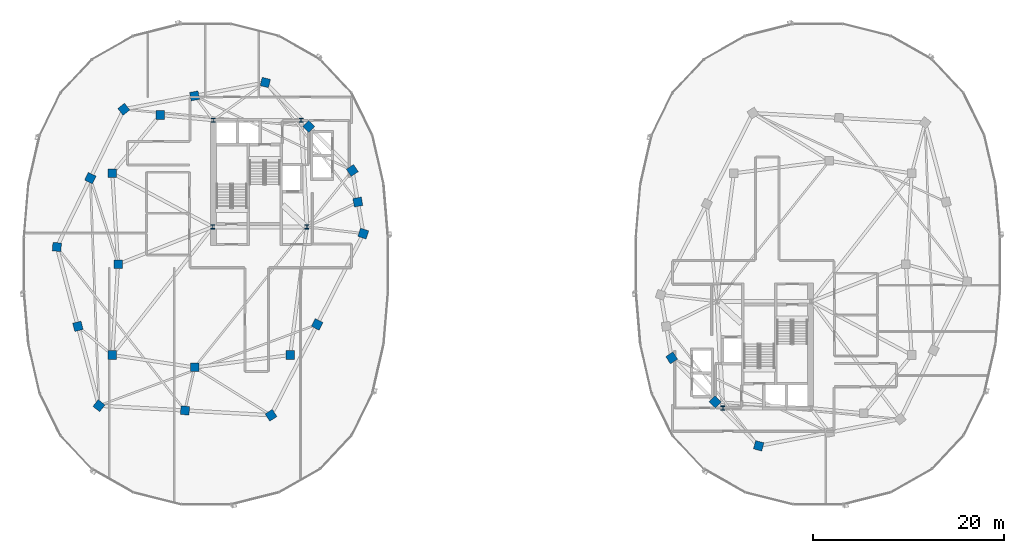
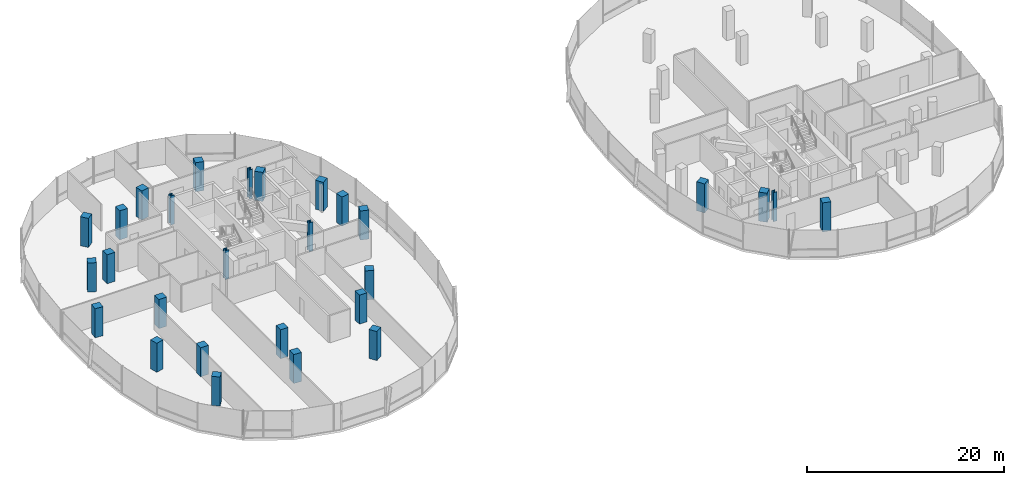
# One storey, part 1 of 25: 28 columns.
"""IFC4 building model written with IfcOpenShell, lengths in metres."""

from ifc_helpers import new_model, si_unit, direction, frame, origin, origin_2d, place, context, subcontext, project, spatial, rectangle, i_section, extrude, material, material_profile, profile_set, type_object, element, save


model = new_model("IFC4")

# Units and contexts
model_context = context("Model", 3, precision=1e-05, world=origin(), true_north=direction((0.0, 1.0)))
body_context = subcontext(model_context, "Body", "Model", "MODEL_VIEW")
ifc_project = project(units=[si_unit("LENGTHUNIT", "METRE"), si_unit("AREAUNIT", "SQUARE_METRE"), si_unit("VOLUMEUNIT", "CUBIC_METRE"), si_unit("PLANEANGLEUNIT", "RADIAN"), si_unit("MASSUNIT", "GRAM", prefix="KILO"), si_unit("THERMODYNAMICTEMPERATUREUNIT", "KELVIN"), si_unit("POWERUNIT", "WATT")], contexts=[model_context])

# Site, building, storey
site_placement = place(None, origin())
site = spatial("IfcSite", under=ifc_project, at=site_placement, CompositionType="ELEMENT")
building_placement = place(site_placement, origin())
building = spatial("IfcBuilding", under=site, at=building_placement, Name="Cundina Bronze Exchange", CompositionType="ELEMENT")
storey_placement = place(building_placement, frame((0.0, 0.0, 199.0)))
storey = spatial("IfcBuildingStorey", under=building, at=storey_placement, Name="L52", CompositionType="ELEMENT", Elevation=199.0)

# Columns
ifc_material_1 = material(Name="Steel ASTM A992 Grade 50", Category="steel")
ifc_material_profile_1 = material_profile(ifc_material_1, i_section(OverallWidth=0.416015625, OverallDepth=0.446044921875, WebThickness=0.0390625, FlangeThickness=0.062744140625, FilletRadius=0.01806640625, at=origin_2d()), Name="W14X342", Category="steel")
ifc_profile_set_1 = profile_set([ifc_material_profile_1], Name="Steel ASTM A992 Grade 50")
column_type_1 = type_object("IfcColumnType", Name="COL-STL-W14B", PredefinedType="COLUMN", material=ifc_profile_set_1)
for number, where, z_axis, x_axis, name in (
    (1, (-31.300048828125, 3.89990234375, 0.0), (0.0, 0.0, 1.0), (1.0, 0.0, 0.0), "L52 Core Anchor Column W1"),
    (2, (-21.449951171875, 3.89990234375, 0.0), (0.0, 0.0, 1.0), (1.0, 0.0, 0.0), "L52 Core Anchor Column W2"),
    (3, (-22.050048828125, 15.050048828125, 0.0), (0.0, 0.0, 1.0), (1.0, 0.0, 0.0), "L52 Core Anchor Column W3"),
    (4, (-31.25, 15.050048828125, 0.0), (0.0, 0.0, 1.0), (1.0, 0.0, 0.0), "L52 Core Anchor Column W4"),
    (5, (22.050048828125, -15.050048828125, 0.0), (0.0, 0.0, 1.0), (1.0, 0.0, 0.0), "L52 Core Anchor Column E3"),
):
    element("IfcColumn", number, at=place(storey_placement, frame(where, z_axis=z_axis, x_axis=x_axis)), inside=storey, type_object=column_type_1, Name=name, PredefinedType="COLUMN", context=body_context, shape_type="SweptSolid", body=[
        extrude(i_section(OverallWidth=0.416015625, OverallDepth=0.446044921875, WebThickness=0.0390625, FlangeThickness=0.062744140625, FilletRadius=0.01806640625, at=origin_2d()), origin(), (0.0, 0.0, 1.0), 3.60009765625),
    ])
ifc_material_2 = material(Name="Concrete C50/60", Category="concrete")
ifc_material_profile_2 = material_profile(ifc_material_2, rectangle(XDim=0.89990234375, YDim=0.89990234375, at=origin_2d()), Name="RC900X900", Category="concrete")
ifc_profile_set_2 = profile_set([ifc_material_profile_2], Name="Concrete C50/60")
column_type_2 = type_object("IfcColumnType", Name="COL-Z4-900", PredefinedType="COLUMN", material=ifc_profile_set_2)
for number, where, z_axis, x_axis, name in (
    (6, (-41.199951171875, 0.0, 0.0), (0.0, 0.0, 1.0), (1.0, 0.0, 0.0), "L52 W Inner Ring Column 1"),
    (7, (-41.800048828125, 9.5, 0.0), (0.0, 0.0, 1.0), (1.0, 0.0, 0.0), "L52 W Inner Ring Column 2"),
    (8, (-36.800048828125, 15.60009765625, 0.0), (0.0, 0.0, 1.0), (1.0, 0.0, 0.0), "L52 W Inner Ring Column 3"),
    (9, (-41.800048828125, -9.5, 0.0), (0.0, 0.0, 1.0), (1.0, 0.0, 0.0), "L52 W Inner Ring Column 4"),
    (10, (-33.199951171875, -10.800048828125, 0.0), (0.0, 0.0, 1.0), (1.0, 0.0, 0.0), "L52 W Inner Ring Column 5"),
    (11, (-23.199951171875, -9.5, 0.0), (0.0, 0.0, 1.0), (1.0, 0.0, 0.0), "L52 W Inner Ring Column 6"),
    (12, (-15.550048828125, 3.199951171875, 0.0), (0.0, 0.0, 1.0), (0.315152163383, 0.949041155016, 0.0), "L52 W Perimeter Column 00"),
    (13, (-16.125, 6.5, 0.0), (0.0, 0.0, 1.0), (-0.171585221787, 0.985169280715, 0.0), "L52 W Perimeter Column 01"),
    (14, (-16.699951171875, 9.800048828125, 0.0), (0.0, 0.0, 1.0), (-0.544199833495, 0.838955625301, 0.0), "L52 W Perimeter Column 02"),
    (15, (-21.25, 14.39990234375, 0.0), (0.0, 0.0, 1.0), (-0.703270634186, 0.710922228581, 0.0), "L52 W Perimeter Column 03"),
    (16, (-25.800048828125, 19.0, 0.0), (0.0, 0.0, 1.0), (-0.965970984022, 0.258650455301, 0.0), "L52 W Perimeter Column 04"),
    (17, (-33.199951171875, 17.60009765625, 0.0), (0.0, 0.0, 1.0), (-0.98258037664, -0.185838110843, 0.0), "L52 W Perimeter Column 05"),
    (18, (-40.60009765625, 16.199951171875, 0.0), (0.0, 0.0, 1.0), (-0.785100778485, -0.619368038909, 0.0), "L52 W Perimeter Column 06"),
    (19, (-44.10009765625, 9.0, 0.0), (0.0, 0.0, 1.0), (-0.437115766651, -0.899405251566, 0.0), "L52 W Perimeter Column 07"),
    (20, (-47.60009765625, 1.800048828125, 0.0), (0.0, 0.0, 1.0), (-0.083503921245, -0.996507448611, 0.0), "L52 W Perimeter Column 08"),
    (21, (-45.39990234375, -6.5, 0.0), (0.0, 0.0, 1.0), (0.256289373133, -0.966600102017, 0.0), "L52 W Perimeter Column 09"),
    (22, (-43.199951171875, -14.800048828125, 0.0), (0.0, 0.0, 1.0), (0.786288432137, -0.61785961309, 0.0), "L52 W Perimeter Column 10"),
    (23, (-34.199951171875, -15.300048828125, 0.0), (0.0, 0.0, 1.0), (0.998460188734, -0.055472980025, 0.0), "L52 W Perimeter Column 11"),
    (24, (-25.199951171875, -15.800048828125, 0.0), (0.0, 0.0, 1.0), (0.838099763533, 0.545516989988, 0.0), "L52 W Perimeter Column 12"),
    (25, (-20.375, -6.300048828125, 0.0), (0.0, 0.0, 1.0), (0.452901591366, 0.891560513111, 0.0), "L52 W Perimeter Column 13"),
    (26, (16.699951171875, -9.800048828125, 0.0), (0.0, 0.0, 1.0), (0.544199833495, -0.838955625301, 0.0), "L52 E Perimeter Column 02"),
    (27, (21.25, -14.39990234375, 0.0), (0.0, 0.0, 1.0), (0.703270634186, -0.710922228581, 0.0), "L52 E Perimeter Column 03"),
    (28, (25.800048828125, -19.0, 0.0), (0.0, 0.0, 1.0), (0.965970984022, -0.258650455301, 0.0), "L52 E Perimeter Column 04"),
):
    element("IfcColumn", number, at=place(storey_placement, frame(where, z_axis=z_axis, x_axis=x_axis)), inside=storey, type_object=column_type_2, Name=name, PredefinedType="COLUMN", context=body_context, shape_type="SweptSolid", body=[
        extrude(rectangle(XDim=0.89990234375, YDim=0.89990234375, at=origin_2d()), origin(), (0.0, 0.0, 1.0), 3.60009765625),
    ])

save(model, "model.ifc")
